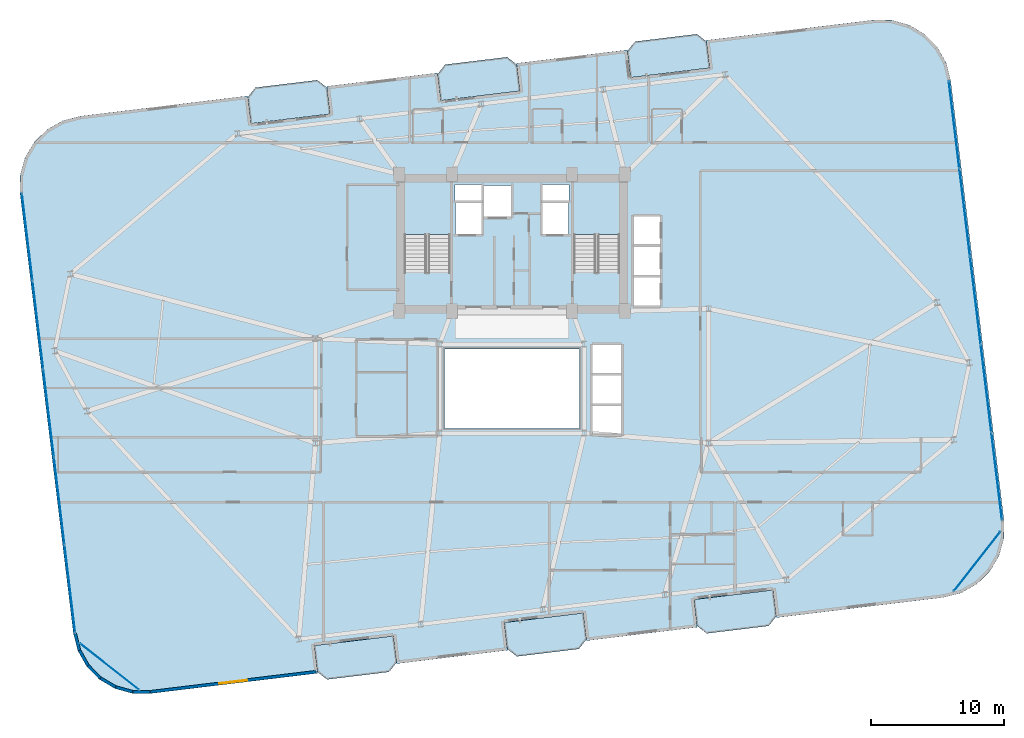
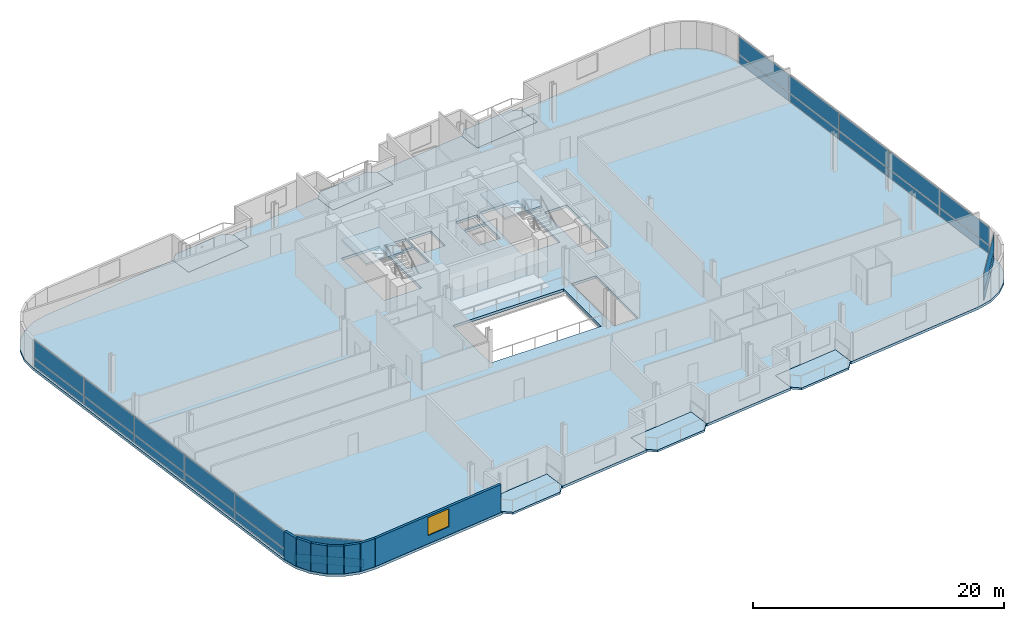
# One storey, part 14 of 23: 24 plates, 9 slabs, 7 walls, 1 window, 1 opening, 6 elements without a shape of their own.
"""IFC4 building model written with IfcOpenShell, lengths in metres."""

from ifc_helpers import new_model, si_unit, direction, frame, frame_2d, origin, origin_2d, place, context, subcontext, project, spatial, polyline, rectangle, outline, extrude, source, transform, mapped, material, layer, layer_set, type_object, element, fill, aggregate, save


model = new_model("IFC4")

# Units and contexts
model_context = context("Model", 3, precision=1e-05, world=origin(), true_north=direction((0.0, 1.0)))
body_context = subcontext(model_context, "Body", "Model", "MODEL_VIEW")
ifc_project = project(units=[si_unit("LENGTHUNIT", "METRE"), si_unit("AREAUNIT", "SQUARE_METRE"), si_unit("VOLUMEUNIT", "CUBIC_METRE"), si_unit("PLANEANGLEUNIT", "RADIAN"), si_unit("MASSUNIT", "GRAM", prefix="KILO")], contexts=[model_context])

# Site, building, storey
site_placement = place(None, origin())
site = spatial("IfcSite", under=ifc_project, at=site_placement, CompositionType="ELEMENT")
building_placement = place(site_placement, origin())
building = spatial("IfcBuilding", under=site, at=building_placement, Name="Varnelok Gate Tower", CompositionType="ELEMENT")
storey_placement = place(building_placement, frame((0.0, 0.0, 182.0)))
storey = spatial("IfcBuildingStorey", under=building, at=storey_placement, Name="L46", CompositionType="ELEMENT", Elevation=182.0)

# Slabs
ifc_material_1 = material(Name="Concrete C45/55", Category="concrete")
ifc_layer_1 = layer(ifc_material_1, 0.199951171875)
ifc_layer_set_1 = layer_set([ifc_layer_1], Name="Concrete C45/55")
slab_type_1 = type_object("IfcSlabType", Name="SLB-BALC-200", PredefinedType="FLOOR", material=ifc_layer_set_1)
slab_1_placement = place(storey_placement, frame((0.0, 0.0, -0.199951171875)))
element("IfcSlab", 1, at=slab_1_placement, inside=storey, type_object=slab_type_1, Name="L46 South Hollow Balcony 1", PredefinedType="FLOOR", context=body_context, shape_type="SweptSolid", body=[
    extrude(outline(polyline([(24.550048828125, 1.564453125), (25.2734375, 0.997314453125), (29.939208984375, 1.56298828125), (30.50634765625, 2.28662109375), (30.265625, 4.27197265625), (24.309326171875, 3.5498046875), (24.550048828125, 1.564453125)])), origin(), (0.0, 0.0, 1.0), 0.199951171875),
])
slab_2_placement = place(storey_placement, frame((0.0, 0.0, -0.199951171875)))
element("IfcSlab", 2, at=slab_2_placement, inside=storey, type_object=slab_type_1, Name="L46 South Hollow Balcony 2", PredefinedType="FLOOR", context=body_context, shape_type="SweptSolid", body=[
    extrude(outline(polyline([(38.84521484375, 3.29736328125), (39.56884765625, 2.73046875), (44.234619140625, 3.2958984375), (44.8017578125, 4.01953125), (44.56103515625, 6.0048828125), (38.6044921875, 5.282958984375), (38.84521484375, 3.29736328125)])), origin(), (0.0, 0.0, 1.0), 0.199951171875),
])
slab_3_placement = place(storey_placement, frame((0.0, 0.0, -0.199951171875)))
element("IfcSlab", 3, at=slab_3_placement, inside=storey, type_object=slab_type_1, Name="L46 South Hollow Balcony 3", PredefinedType="FLOOR", context=body_context, shape_type="SweptSolid", body=[
    extrude(outline(polyline([(53.140625, 5.030517578125), (53.8642578125, 4.46337890625), (58.530029296875, 5.02880859375), (59.09716796875, 5.75244140625), (58.8564453125, 7.73779296875), (52.89990234375, 7.015869140625), (53.140625, 5.030517578125)])), origin(), (0.0, 0.0, 1.0), 0.199951171875),
])
slab_4_placement = place(storey_placement, frame((0.0, 0.0, -0.199951171875)))
element("IfcSlab", 4, at=slab_4_placement, inside=storey, type_object=slab_type_1, Name="L46 North Hollow Balcony 1", PredefinedType="FLOOR", context=body_context, shape_type="SweptSolid", body=[
    extrude(outline(polyline([(19.543701171875, 42.862060546875), (25.5, 43.584228515625), (25.25927734375, 45.569580078125), (24.535888671875, 46.13671875), (19.8701171875, 45.571044921875), (19.302978515625, 44.84765625), (19.543701171875, 42.862060546875)])), origin(), (0.0, 0.0, 1.0), 0.199951171875),
])
slab_5_placement = place(storey_placement, frame((0.0, 0.0, -0.199951171875)))
element("IfcSlab", 5, at=slab_5_placement, inside=storey, type_object=slab_type_1, Name="L46 North Hollow Balcony 2", PredefinedType="FLOOR", context=body_context, shape_type="SweptSolid", body=[
    extrude(outline(polyline([(33.839111328125, 44.59521484375), (39.79541015625, 45.317138671875), (39.5546875, 47.302490234375), (38.831298828125, 47.86962890625), (34.165283203125, 47.303955078125), (33.598388671875, 46.58056640625), (33.839111328125, 44.59521484375)])), origin(), (0.0, 0.0, 1.0), 0.199951171875),
])
slab_6_placement = place(storey_placement, frame((0.0, 0.0, -0.199951171875)))
element("IfcSlab", 6, at=slab_6_placement, inside=storey, type_object=slab_type_1, Name="L46 North Hollow Balcony 3", PredefinedType="FLOOR", context=body_context, shape_type="SweptSolid", body=[
    extrude(outline(polyline([(48.13427734375, 46.327880859375), (54.0908203125, 47.050048828125), (53.85009765625, 49.03564453125), (53.12646484375, 49.6025390625), (48.460693359375, 49.037109375), (47.8935546875, 48.3134765625), (48.13427734375, 46.327880859375)])), origin(), (0.0, 0.0, 1.0), 0.199951171875),
])

# Stair, slab
ifc_material_2 = material(Name="Concrete C50/60", Category="concrete")
stair_type = type_object("IfcStairType", Name="STR-CORE-1650", PredefinedType="HALF_TURN_STAIR", material=ifc_material_2)
stair_1_placement = place(storey_placement, origin())
stair_1 = element("IfcStair", 7, at=stair_1_placement, inside=storey, type_object=stair_type, Name="L46 Exit Stair ST-1", PredefinedType="HALF_TURN_STAIR")
ifc_layer_2 = layer(ifc_material_1, 0.199951171875)
ifc_layer_set_2 = layer_set([ifc_layer_2], Name="Concrete C45/55")
slab_type_2 = type_object("IfcSlabType", Name="SLB-LAND-200", PredefinedType="LANDING", material=ifc_layer_set_2)
slab_7_placement = place(storey_placement, frame((0.0, 0.0, 1.64990234375)))
slab_7 = element("IfcSlab", 8, at=slab_7_placement, type_object=slab_type_2, Name="ST-1 landing 1", PredefinedType="LANDING", context=body_context, shape_type="SweptSolid", body=[
    extrude(outline(polyline([(34.550048828125, 34.5), (34.550048828125, 38.449951171875), (31.10009765625, 38.449951171875), (31.10009765625, 34.5), (34.550048828125, 34.5)])), origin(), (0.0, 0.0, 1.0), 0.2001953125),
])
aggregate(stair_1, [slab_7])

stair_2_placement = place(storey_placement, origin())
stair_2 = element("IfcStair", 9, at=stair_2_placement, inside=storey, type_object=stair_type, Name="L46 Exit Stair ST-2", PredefinedType="HALF_TURN_STAIR")
slab_8_placement = place(storey_placement, frame((0.0, 0.0, 1.64990234375)))
slab_8 = element("IfcSlab", 10, at=slab_8_placement, type_object=slab_type_2, Name="ST-2 landing 1", PredefinedType="LANDING", context=body_context, shape_type="SweptSolid", body=[
    extrude(outline(polyline([(47.300048828125, 34.5), (47.300048828125, 38.449951171875), (43.85009765625, 38.449951171875), (43.85009765625, 34.5), (47.300048828125, 34.5)])), origin(), (0.0, 0.0, 1.0), 0.2001953125),
])
aggregate(stair_2, [slab_8])

# Slab
ifc_layer_3 = layer(ifc_material_2, 0.25)
ifc_layer_set_3 = layer_set([ifc_layer_3], Name="Concrete C50/60")
slab_type_3 = type_object("IfcSlabType", Name="SLB-TYP-250", PredefinedType="FLOOR", material=ifc_layer_set_3)
slab_9_placement = place(storey_placement, frame((0.0, 0.0, -0.25)))
element("IfcSlab", 11, at=slab_9_placement, inside=storey, type_object=slab_type_3, Name="L46 Structural Floor Slab", PredefinedType="FLOOR", context=body_context, shape_type="SweptSolid", body=[
    extrude(outline(polyline([(6.166259765625, 4.47314453125), (6.504150390625, 3.158447265625), (7.1708984375, 1.975830078125), (8.120849609375, 1.006103515625), (9.289306640625, 0.3154296875), (10.596923828125, -0.04931640625), (11.954345703125, -0.063232421875), (22.87451171875, 1.260498046875), (24.56201171875, 1.465087890625), (24.309326171875, 3.5498046875), (30.265625, 4.27197265625), (30.518310546875, 2.187255859375), (38.857421875, 3.197998046875), (38.6044921875, 5.282958984375), (44.56103515625, 6.0048828125), (44.813720703125, 3.920166015625), (53.152587890625, 4.93115234375), (52.89990234375, 7.015869140625), (58.8564453125, 7.73779296875), (59.109130859375, 5.6533203125), (60.796630859375, 5.85791015625), (71.716796875, 7.181396484375), (73.031494140625, 7.519287109375), (74.214111328125, 8.18603515625), (75.183837890625, 9.135986328125), (75.87451171875, 10.3046875), (76.2392578125, 11.612060546875), (76.253173828125, 12.969482421875), (72.233642578125, 46.126708984375), (71.895751953125, 47.441650390625), (71.229248046875, 48.6240234375), (70.279296875, 49.59375), (69.110595703125, 50.284423828125), (67.802978515625, 50.6494140625), (66.44580078125, 50.6630859375), (55.525634765625, 49.33935546875), (53.837890625, 49.134765625), (54.0908203125, 47.050048828125), (48.13427734375, 46.327880859375), (47.881591796875, 48.412841796875), (39.54248046875, 47.40185546875), (39.79541015625, 45.317138671875), (33.839111328125, 44.59521484375), (33.586181640625, 46.6796875), (25.247314453125, 45.6689453125), (25.5, 43.584228515625), (19.543701171875, 42.862060546875), (19.291015625, 44.94677734375), (17.603271484375, 44.7421875), (6.68310546875, 43.41845703125), (5.368408203125, 43.08056640625), (4.18603515625, 42.413818359375), (3.21630859375, 41.464111328125), (2.525390625, 40.29541015625), (2.16064453125, 38.98779296875), (2.146728515625, 37.630615234375), (6.166259765625, 4.47314453125)]), holes=[polyline([(34.550048828125, 31.679931640625), (34.550048828125, 38.449951171875), (31.10009765625, 38.449951171875), (31.10009765625, 31.679931640625), (34.550048828125, 31.679931640625)]), polyline([(47.300048828125, 31.679931640625), (47.300048828125, 38.449951171875), (43.85009765625, 38.449951171875), (43.85009765625, 31.679931640625), (47.300048828125, 31.679931640625)]), polyline([(34.949951171875, 34.550048828125), (36.89990234375, 34.550048828125), (36.89990234375, 36.89990234375), (34.949951171875, 36.89990234375), (34.949951171875, 34.550048828125)]), polyline([(41.5, 34.550048828125), (43.449951171875, 34.550048828125), (43.449951171875, 36.89990234375), (41.5, 36.89990234375), (41.5, 34.550048828125)]), polyline([(37.050048828125, 35.85009765625), (39.14990234375, 35.85009765625), (39.14990234375, 38.199951171875), (37.050048828125, 38.199951171875), (37.050048828125, 35.85009765625)]), polyline([(48.35009765625, 29.14990234375), (50.35009765625, 29.14990234375), (50.35009765625, 35.89990234375), (48.35009765625, 35.89990234375), (48.35009765625, 29.14990234375)]), polyline([(45.25, 19.449951171875), (47.449951171875, 19.449951171875), (47.449951171875, 26.199951171875), (45.25, 26.199951171875), (45.25, 19.449951171875)]), polyline([(34.919921875, 37.080078125), (36.89990234375, 37.080078125), (36.89990234375, 38.280029296875), (34.919921875, 38.280029296875), (34.919921875, 37.080078125)]), polyline([(41.5, 37.080078125), (43.47998046875, 37.080078125), (43.47998046875, 38.280029296875), (41.5, 38.280029296875), (41.5, 37.080078125)]), polyline([(34.10009765625, 19.89990234375), (44.300048828125, 19.89990234375), (44.300048828125, 25.89990234375), (34.10009765625, 25.89990234375), (34.10009765625, 19.89990234375)])]), origin(), (0.0, 0.0, 1.0), 0.25),
])

# Curtain wall, plates
ifc_material_3 = material(Name="Anodized Aluminum Alloy 6063-T6", Category="aluminium")
ifc_layer_4 = layer(ifc_material_3, 0.179931640625)
ifc_layer_set_4 = layer_set([ifc_layer_4], Name="Anodized Aluminum Alloy 6063-T6")
curtain_wall_type_1 = type_object("IfcCurtainWallType", Name="CW4-RESIDENCE-VISION", PredefinedType="USERDEFINED", material=ifc_layer_set_4)
curtain_wall_1_placement = place(storey_placement, origin())
curtain_wall_1 = element("IfcCurtainWall", 12, at=curtain_wall_1_placement, inside=storey, type_object=curtain_wall_type_1, Name="L46 West End Vision Curtain Wall", ObjectType="UNITISED CURTAIN WALL", PredefinedType="USERDEFINED")
ifc_material_4 = material(Name="Low-E Laminated Double Glazing IGU", Category="glass")
ifc_layer_5 = layer(ifc_material_4, 0.035888671875)
ifc_layer_set_5 = layer_set([ifc_layer_5], Name="Low-E Laminated Double Glazing IGU")
plate_type_1 = type_object("IfcPlateType", Name="CW-PNL-IGU36", PredefinedType="CURTAIN_PANEL", material=ifc_layer_set_5)
shared_shape_1 = source(origin(), body_context, "Body", "SweptSolid", [
    extrude(rectangle(XDim=6.5673828125, YDim=0.035888671875, at=origin_2d()), origin(), (0.0, 0.0, 1.0), 0.78759765625),
])
plate_1_placement = place(storey_placement, frame((5.901123046875, 7.824462890625, 0.074951171875), z_axis=(0.0, 0.0, 1.0), x_axis=(-0.120344511371, 0.992732188751, 0.0)))
plate_1 = element("IfcPlate", 13, at=plate_1_placement, type_object=plate_type_1, Name="CW4 panel 1.1", PredefinedType="CURTAIN_PANEL", context=body_context, shape_type="MappedRepresentation", body=[
    mapped(shared_shape_1, transform((0.0, 0.0, 0.0), scale=1.0)),
])
plate_2_placement = place(storey_placement, frame((2.68994140625, 34.31298828125, 0.074951171875), z_axis=(0.0, 0.0, 1.0), x_axis=(-0.120344511371, 0.992732188751, 0.0)))
plate_2 = element("IfcPlate", 14, at=plate_2_placement, type_object=plate_type_1, Name="CW4 panel 5.1", PredefinedType="CURTAIN_PANEL", context=body_context, shape_type="MappedRepresentation", body=[
    mapped(shared_shape_1, transform((0.0, 0.0, 0.0), scale=1.0)),
])

curtain_wall_2_placement = place(storey_placement, origin())
curtain_wall_2 = element("IfcCurtainWall", 15, at=curtain_wall_2_placement, inside=storey, type_object=curtain_wall_type_1, Name="L46 East End Vision Curtain Wall", ObjectType="UNITISED CURTAIN WALL", PredefinedType="USERDEFINED")
plate_3_placement = place(storey_placement, frame((72.4990234375, 42.775634765625, 0.074951171875), z_axis=(0.0, 0.0, 1.0), x_axis=(0.120344511371, -0.992732188751, 0.0)))
plate_3 = element("IfcPlate", 16, at=plate_3_placement, type_object=plate_type_1, Name="CW4 panel 1.1", PredefinedType="CURTAIN_PANEL", context=body_context, shape_type="MappedRepresentation", body=[
    mapped(shared_shape_1, transform((0.0, 0.0, 0.0), scale=1.0)),
])
plate_4_placement = place(storey_placement, frame((75.7099609375, 16.287109375, 0.074951171875), z_axis=(0.0, 0.0, 1.0), x_axis=(0.120344511371, -0.992732188751, 0.0)))
plate_4 = element("IfcPlate", 17, at=plate_4_placement, type_object=plate_type_1, Name="CW4 panel 5.1", PredefinedType="CURTAIN_PANEL", context=body_context, shape_type="MappedRepresentation", body=[
    mapped(shared_shape_1, transform((0.0, 0.0, 0.0), scale=1.0)),
])

# Plate
shared_shape_2 = source(origin(), body_context, "Body", "SweptSolid", [
    extrude(rectangle(XDim=6.5673828125, YDim=0.035888671875, at=origin_2d()), origin(), (0.0, 0.0, 1.0), 1.717529296875),
])
plate_5_placement = place(storey_placement, frame((5.901123046875, 7.824462890625, 0.9375), z_axis=(0.0, 0.0, 1.0), x_axis=(-0.120344511371, 0.992732188751, 0.0)))
plate_5 = element("IfcPlate", 18, at=plate_5_placement, type_object=plate_type_1, Name="CW4 panel 1.2", PredefinedType="CURTAIN_PANEL", context=body_context, shape_type="MappedRepresentation", body=[
    mapped(shared_shape_2, transform((0.0, 0.0, 0.0), scale=1.0)),
])

plate_6_placement = place(storey_placement, frame((2.68994140625, 34.31298828125, 0.9375), z_axis=(0.0, 0.0, 1.0), x_axis=(-0.120344511371, 0.992732188751, 0.0)))
plate_6 = element("IfcPlate", 19, at=plate_6_placement, type_object=plate_type_1, Name="CW4 panel 5.2", PredefinedType="CURTAIN_PANEL", context=body_context, shape_type="MappedRepresentation", body=[
    mapped(shared_shape_2, transform((0.0, 0.0, 0.0), scale=1.0)),
])

plate_7_placement = place(storey_placement, frame((72.4990234375, 42.775634765625, 0.9375), z_axis=(0.0, 0.0, 1.0), x_axis=(0.120344511371, -0.992732188751, 0.0)))
plate_7 = element("IfcPlate", 20, at=plate_7_placement, type_object=plate_type_1, Name="CW4 panel 1.2", PredefinedType="CURTAIN_PANEL", context=body_context, shape_type="MappedRepresentation", body=[
    mapped(shared_shape_2, transform((0.0, 0.0, 0.0), scale=1.0)),
])

plate_8_placement = place(storey_placement, frame((75.7099609375, 16.287109375, 0.9375), z_axis=(0.0, 0.0, 1.0), x_axis=(0.120344511371, -0.992732188751, 0.0)))
plate_8 = element("IfcPlate", 21, at=plate_8_placement, type_object=plate_type_1, Name="CW4 panel 5.2", PredefinedType="CURTAIN_PANEL", context=body_context, shape_type="MappedRepresentation", body=[
    mapped(shared_shape_2, transform((0.0, 0.0, 0.0), scale=1.0)),
])

shared_shape_3 = source(origin(), body_context, "Body", "SweptSolid", [
    extrude(rectangle(XDim=6.60498046875, YDim=0.035888671875, at=origin_2d()), origin(), (0.0, 0.0, 1.0), 0.78759765625),
])
plate_9_placement = place(storey_placement, frame((5.099365234375, 14.437255859375, 0.074951171875), z_axis=(0.0, 0.0, 1.0), x_axis=(-0.120344511371, 0.992732188751, 0.0)))
plate_9 = element("IfcPlate", 22, at=plate_9_placement, type_object=plate_type_1, Name="CW4 panel 2.1", PredefinedType="CURTAIN_PANEL", context=body_context, shape_type="MappedRepresentation", body=[
    mapped(shared_shape_3, transform((0.0, 0.0, 0.0), scale=1.0)),
])

plate_10_placement = place(storey_placement, frame((4.295654296875, 21.068603515625, 0.074951171875), z_axis=(0.0, 0.0, 1.0), x_axis=(-0.120344511371, 0.992732188751, 0.0)))
plate_10 = element("IfcPlate", 23, at=plate_10_placement, type_object=plate_type_1, Name="CW4 panel 3.1", PredefinedType="CURTAIN_PANEL", context=body_context, shape_type="MappedRepresentation", body=[
    mapped(shared_shape_3, transform((0.0, 0.0, 0.0), scale=1.0)),
])

plate_11_placement = place(storey_placement, frame((3.49169921875, 27.7001953125, 0.074951171875), z_axis=(0.0, 0.0, 1.0), x_axis=(-0.120344511371, 0.992732188751, 0.0)))
plate_11 = element("IfcPlate", 24, at=plate_11_placement, type_object=plate_type_1, Name="CW4 panel 4.1", PredefinedType="CURTAIN_PANEL", context=body_context, shape_type="MappedRepresentation", body=[
    mapped(shared_shape_3, transform((0.0, 0.0, 0.0), scale=1.0)),
])

plate_12_placement = place(storey_placement, frame((73.300537109375, 36.162841796875, 0.074951171875), z_axis=(0.0, 0.0, 1.0), x_axis=(0.120344511371, -0.992732188751, 0.0)))
plate_12 = element("IfcPlate", 25, at=plate_12_placement, type_object=plate_type_1, Name="CW4 panel 2.1", PredefinedType="CURTAIN_PANEL", context=body_context, shape_type="MappedRepresentation", body=[
    mapped(shared_shape_3, transform((0.0, 0.0, 0.0), scale=1.0)),
])

plate_13_placement = place(storey_placement, frame((74.1044921875, 29.53125, 0.074951171875), z_axis=(0.0, 0.0, 1.0), x_axis=(0.120344511371, -0.992732188751, 0.0)))
plate_13 = element("IfcPlate", 26, at=plate_13_placement, type_object=plate_type_1, Name="CW4 panel 3.1", PredefinedType="CURTAIN_PANEL", context=body_context, shape_type="MappedRepresentation", body=[
    mapped(shared_shape_3, transform((0.0, 0.0, 0.0), scale=1.0)),
])

plate_14_placement = place(storey_placement, frame((74.908447265625, 22.89990234375, 0.074951171875), z_axis=(0.0, 0.0, 1.0), x_axis=(0.120344511371, -0.992732188751, 0.0)))
plate_14 = element("IfcPlate", 27, at=plate_14_placement, type_object=plate_type_1, Name="CW4 panel 4.1", PredefinedType="CURTAIN_PANEL", context=body_context, shape_type="MappedRepresentation", body=[
    mapped(shared_shape_3, transform((0.0, 0.0, 0.0), scale=1.0)),
])

shared_shape_4 = source(origin(), body_context, "Body", "SweptSolid", [
    extrude(rectangle(XDim=6.60498046875, YDim=0.035888671875, at=origin_2d()), origin(), (0.0, 0.0, 1.0), 1.717529296875),
])
plate_15_placement = place(storey_placement, frame((5.099365234375, 14.437255859375, 0.9375), z_axis=(0.0, 0.0, 1.0), x_axis=(-0.120344511371, 0.992732188751, 0.0)))
plate_15 = element("IfcPlate", 28, at=plate_15_placement, type_object=plate_type_1, Name="CW4 panel 2.2", PredefinedType="CURTAIN_PANEL", context=body_context, shape_type="MappedRepresentation", body=[
    mapped(shared_shape_4, transform((0.0, 0.0, 0.0), scale=1.0)),
])

plate_16_placement = place(storey_placement, frame((4.295654296875, 21.068603515625, 0.9375), z_axis=(0.0, 0.0, 1.0), x_axis=(-0.120344511371, 0.992732188751, 0.0)))
plate_16 = element("IfcPlate", 29, at=plate_16_placement, type_object=plate_type_1, Name="CW4 panel 3.2", PredefinedType="CURTAIN_PANEL", context=body_context, shape_type="MappedRepresentation", body=[
    mapped(shared_shape_4, transform((0.0, 0.0, 0.0), scale=1.0)),
])

plate_17_placement = place(storey_placement, frame((3.49169921875, 27.7001953125, 0.9375), z_axis=(0.0, 0.0, 1.0), x_axis=(-0.120344511371, 0.992732188751, 0.0)))
plate_17 = element("IfcPlate", 30, at=plate_17_placement, type_object=plate_type_1, Name="CW4 panel 4.2", PredefinedType="CURTAIN_PANEL", context=body_context, shape_type="MappedRepresentation", body=[
    mapped(shared_shape_4, transform((0.0, 0.0, 0.0), scale=1.0)),
])

aggregate(curtain_wall_1, [plate_1, plate_5, plate_9, plate_15, plate_10, plate_16, plate_11, plate_17, plate_2, plate_6])

plate_18_placement = place(storey_placement, frame((73.300537109375, 36.162841796875, 0.9375), z_axis=(0.0, 0.0, 1.0), x_axis=(0.120344511371, -0.992732188751, 0.0)))
plate_18 = element("IfcPlate", 31, at=plate_18_placement, type_object=plate_type_1, Name="CW4 panel 2.2", PredefinedType="CURTAIN_PANEL", context=body_context, shape_type="MappedRepresentation", body=[
    mapped(shared_shape_4, transform((0.0, 0.0, 0.0), scale=1.0)),
])

plate_19_placement = place(storey_placement, frame((74.1044921875, 29.53125, 0.9375), z_axis=(0.0, 0.0, 1.0), x_axis=(0.120344511371, -0.992732188751, 0.0)))
plate_19 = element("IfcPlate", 32, at=plate_19_placement, type_object=plate_type_1, Name="CW4 panel 3.2", PredefinedType="CURTAIN_PANEL", context=body_context, shape_type="MappedRepresentation", body=[
    mapped(shared_shape_4, transform((0.0, 0.0, 0.0), scale=1.0)),
])

plate_20_placement = place(storey_placement, frame((74.908447265625, 22.89990234375, 0.9375), z_axis=(0.0, 0.0, 1.0), x_axis=(0.120344511371, -0.992732188751, 0.0)))
plate_20 = element("IfcPlate", 33, at=plate_20_placement, type_object=plate_type_1, Name="CW4 panel 4.2", PredefinedType="CURTAIN_PANEL", context=body_context, shape_type="MappedRepresentation", body=[
    mapped(shared_shape_4, transform((0.0, 0.0, 0.0), scale=1.0)),
])

aggregate(curtain_wall_2, [plate_3, plate_7, plate_12, plate_18, plate_13, plate_19, plate_14, plate_20, plate_4, plate_8])

# Curtain wall, plates
ifc_layer_6 = layer(ifc_material_3, 0.179931640625)
ifc_layer_set_6 = layer_set([ifc_layer_6], Name="Anodized Aluminum Alloy 6063-T6")
curtain_wall_type_2 = type_object("IfcCurtainWallType", Name="CW5-WINDCORNER-GLAZ", PredefinedType="USERDEFINED", material=ifc_layer_set_6)
curtain_wall_3_placement = place(storey_placement, origin())
curtain_wall_3 = element("IfcCurtainWall", 34, at=curtain_wall_3_placement, inside=storey, type_object=curtain_wall_type_2, Name="L46 Wind-Shaped Corner Curtain Wall SW", ObjectType="STRUCTURAL GLAZING", PredefinedType="USERDEFINED")
ifc_layer_7 = layer(ifc_material_4, 0.0419921875)
ifc_layer_set_7 = layer_set([ifc_layer_7], Name="Low-E Laminated Double Glazing IGU")
plate_type_2 = type_object("IfcPlateType", Name="CW-PNL-SPN42", PredefinedType="CURTAIN_PANEL", material=ifc_layer_set_7)
shared_shape_5 = source(origin(), body_context, "Body", "SweptSolid", [
    extrude(rectangle(XDim=5.6259765625, YDim=0.0419921875, at=origin_2d()), origin(), (0.0, 0.0, 1.0), 0.802490234375),
])
plate_21_placement = place(storey_placement, frame((8.872802734375, 1.9658203125, 0.06494140625), z_axis=(0.0, 0.0, 1.0), x_axis=(0.787070733481, -0.616862756615, 0.0)))
plate_21 = element("IfcPlate", 35, at=plate_21_placement, type_object=plate_type_2, Name="CW5 panel 1.1", PredefinedType="CURTAIN_PANEL", context=body_context, shape_type="MappedRepresentation", body=[
    mapped(shared_shape_5, transform((0.0, 0.0, 0.0), scale=1.0)),
])
shared_shape_6 = source(origin(), body_context, "Body", "SweptSolid", [
    extrude(rectangle(XDim=5.6259765625, YDim=0.0419921875, at=origin_2d()), origin(), (0.0, 0.0, 1.0), 1.732421875),
])
plate_22_placement = place(storey_placement, frame((8.872802734375, 1.9658203125, 0.9326171875), z_axis=(0.0, 0.0, 1.0), x_axis=(0.787070733481, -0.616862756615, 0.0)))
plate_22 = element("IfcPlate", 36, at=plate_22_placement, type_object=plate_type_2, Name="CW5 panel 1.2", PredefinedType="CURTAIN_PANEL", context=body_context, shape_type="MappedRepresentation", body=[
    mapped(shared_shape_6, transform((0.0, 0.0, 0.0), scale=1.0)),
])
aggregate(curtain_wall_3, [plate_21, plate_22])

curtain_wall_4_placement = place(storey_placement, origin())
curtain_wall_4 = element("IfcCurtainWall", 37, at=curtain_wall_4_placement, inside=storey, type_object=curtain_wall_type_2, Name="L46 Wind-Shaped Corner Curtain Wall SE", ObjectType="STRUCTURAL GLAZING", PredefinedType="USERDEFINED")
shared_shape_7 = source(origin(), body_context, "Body", "SweptSolid", [
    extrude(rectangle(XDim=5.625732421875, YDim=0.0419921875, at=origin_2d()), origin(), (0.0, 0.0, 1.0), 0.802490234375),
])
plate_23_placement = place(storey_placement, frame((74.224365234375, 9.887939453125, 0.06494140625), z_axis=(0.0, 0.0, 1.0), x_axis=(0.616871191769, 0.787064122397, 0.0)))
plate_23 = element("IfcPlate", 38, at=plate_23_placement, type_object=plate_type_2, Name="CW5 panel 1.1", PredefinedType="CURTAIN_PANEL", context=body_context, shape_type="MappedRepresentation", body=[
    mapped(shared_shape_7, transform((0.0, 0.0, 0.0), scale=1.0)),
])
shared_shape_8 = source(origin(), body_context, "Body", "SweptSolid", [
    extrude(rectangle(XDim=5.625732421875, YDim=0.0419921875, at=origin_2d()), origin(), (0.0, 0.0, 1.0), 1.732421875),
])
plate_24_placement = place(storey_placement, frame((74.224365234375, 9.887939453125, 0.9326171875), z_axis=(0.0, 0.0, 1.0), x_axis=(0.616871191769, 0.787064122397, 0.0)))
plate_24 = element("IfcPlate", 39, at=plate_24_placement, type_object=plate_type_2, Name="CW5 panel 1.2", PredefinedType="CURTAIN_PANEL", context=body_context, shape_type="MappedRepresentation", body=[
    mapped(shared_shape_8, transform((0.0, 0.0, 0.0), scale=1.0)),
])
aggregate(curtain_wall_4, [plate_23, plate_24])

# Walls
ifc_layer_8 = layer(ifc_material_1, 0.219970703125)
ifc_layer_set_8 = layer_set([ifc_layer_8], Name="Concrete C45/55")
wall_type = type_object("IfcWallType", Name="EW-BALC-220", PredefinedType="SOLIDWALL", material=ifc_layer_set_8)
wall_1_placement = place(storey_placement, frame((6.286376953125, 4.48779296875, 0.0), z_axis=(0.0, 0.0, 1.0), x_axis=(0.248942347653, -0.968518305219, 0.0)))
element("IfcWall", 40, at=wall_1_placement, inside=storey, type_object=wall_type, Name="L46 Perimeter Facade Closure Wall 1", PredefinedType="SOLIDWALL", context=body_context, shape_type="SweptSolid", body=[
    extrude(rectangle(XDim=1.325927734375, YDim=0.219970703125, at=frame_2d((0.6630859375, 0.0))), origin(), (0.0, 0.0, 1.0), 2.72998046875),
])
for number, where, z_axis, x_axis, name in (
    (41, (6.62890625, 3.181884765625, 0.0), (0.0, 0.0, 1.0), (0.490956091431, -0.871184318205, 0.0), "L46 Perimeter Facade Closure Wall 2"),
    (42, (7.28515625, 2.03076171875, 0.0), (0.0, 0.0, 1.0), (0.699844331926, -0.714295394827, 0.0), "L46 Perimeter Facade Closure Wall 3"),
    (43, (8.217041015625, 1.088623046875, 0.0), (0.0, 0.0, 1.0), (0.860885425627, -0.508798863936, 0.0), "L46 Perimeter Facade Closure Wall 4"),
):
    element("IfcWall", number, at=place(storey_placement, frame(where, z_axis=z_axis, x_axis=x_axis)), inside=storey, type_object=wall_type, Name=name, PredefinedType="SOLIDWALL", context=body_context, shape_type="SweptSolid", body=[
        extrude(rectangle(XDim=1.30078125, YDim=0.219970703125, at=frame_2d((0.650390625, 0.0))), origin(), (0.0, 0.0, 1.0), 2.72998046875),
    ])
wall_2_placement = place(storey_placement, frame((9.36083984375, 0.420166015625, 0.0), z_axis=(0.0, 0.0, 1.0), x_axis=(0.963218895288, -0.268717992997, 0.0)))
element("IfcWall", 44, at=wall_2_placement, inside=storey, type_object=wall_type, Name="L46 Perimeter Facade Closure Wall 5", PredefinedType="SOLIDWALL", context=body_context, shape_type="SweptSolid", body=[
    extrude(rectangle(XDim=1.301025390625, YDim=0.219970703125, at=frame_2d((0.650390625, 0.0))), origin(), (0.0, 0.0, 1.0), 2.72998046875),
])
wall_3_placement = place(storey_placement, frame((10.638916015625, 0.0703125, 0.0), z_axis=(0.0, 0.0, 1.0), x_axis=(0.999947377741, -0.010258740119, 0.0)))
element("IfcWall", 45, at=wall_3_placement, inside=storey, type_object=wall_type, Name="L46 Perimeter Facade Closure Wall 6", PredefinedType="SOLIDWALL", context=body_context, shape_type="SweptSolid", body=[
    extrude(rectangle(XDim=1.308837890625, YDim=0.219970703125, at=frame_2d((0.654296875, 0.0))), origin(), (0.0, 0.0, 1.0), 2.72998046875),
])

# Wall, opening, window
wall_4_placement = place(storey_placement, frame((11.972412109375, 0.059814453125, 0.0), z_axis=(0.0, 0.0, 1.0), x_axis=(0.992732021049, 0.120345894751, 0.0)))
wall_4 = element("IfcWall", 46, at=wall_4_placement, inside=storey, type_object=wall_type, Name="L46 Perimeter Facade Closure Wall 7", PredefinedType="SOLIDWALL", context=body_context, shape_type="SweptSolid", body=[
    extrude(rectangle(XDim=12.54736328125, YDim=0.219970703125, at=frame_2d((6.273681640625, 0.0))), origin(), (0.0, 0.0, 1.0), 2.72998046875),
])
opening_placement = place(wall_4_placement, frame((5.2236328125, 0.0, 0.800048828125)))
opening = element("IfcOpeningElement", 47, at=opening_placement, cuts=wall_4, Name="Opening WN4", PredefinedType="OPENING", context=body_context, shape_type="SweptSolid", body=[
    extrude(rectangle(XDim=2.10009765625, YDim=1.75, at=frame_2d((1.050048828125, 0.875))), frame((0.0, 0.119873046875, 0.0), z_axis=(0.0, -1.0, 0.0), x_axis=(1.0, 0.0, 0.0)), (0.0, 0.0, 1.0), 0.239990234375),
])
window_type = type_object("IfcWindowType", Name="WN-SUI-2100", PartitioningType="SINGLE_PANEL", PredefinedType="WINDOW", material=ifc_material_4)
window_placement = place(opening_placement, origin())
window = element("IfcWindow", 48, at=window_placement, inside=storey, type_object=window_type, Name="L46 Perimeter Vision Window 7", OverallHeight=1.75, OverallWidth=2.10009765625, PartitioningType="SINGLE_PANEL", PredefinedType="WINDOW", context=body_context, shape_type="SweptSolid", body=[
    extrude(rectangle(XDim=2.10009765625, YDim=1.75, at=frame_2d((1.050048828125, 0.875))), frame((0.0, 0.030029296875, 0.0), z_axis=(0.0, -1.0, 0.0), x_axis=(1.0, 0.0, 0.0)), (0.0, 0.0, 1.0), 0.06005859375),
])
fill(opening, window)

save(model, "model.ifc")
